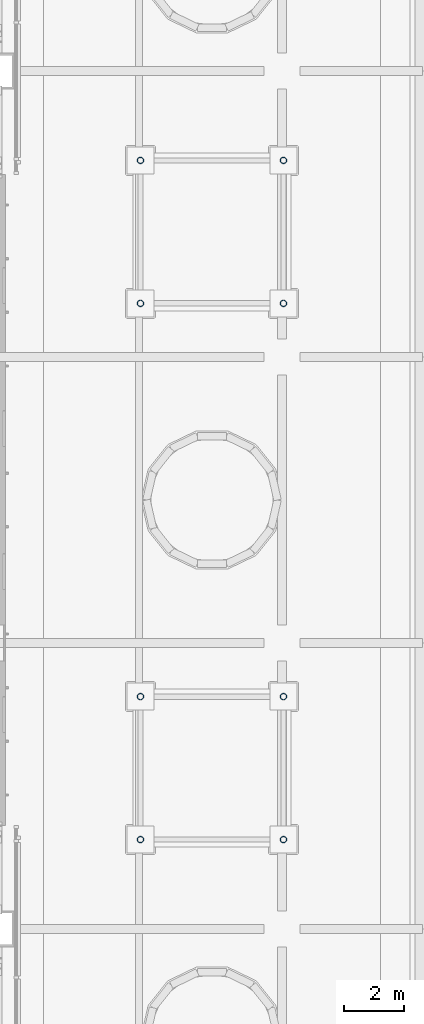
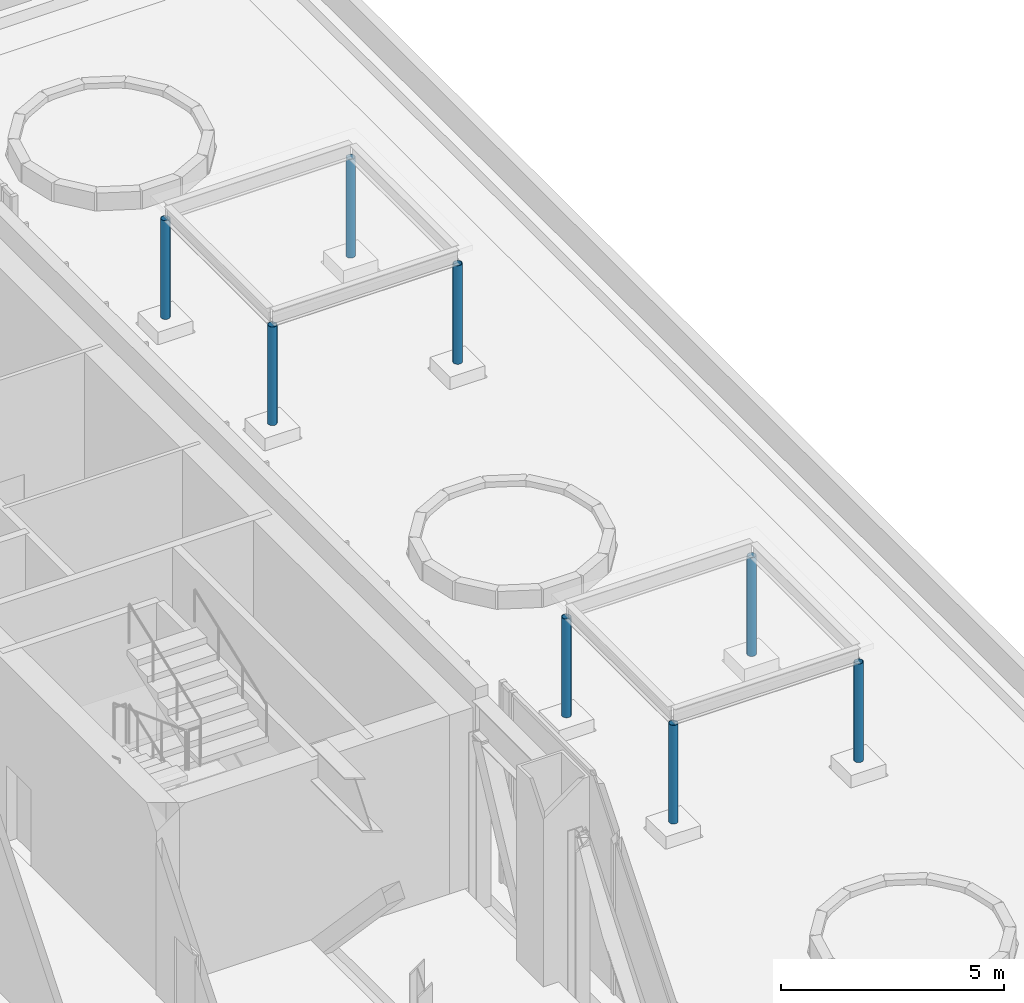
# One storey, part 6 of 39: 8 columns.
"""IFC4 building model written with IfcOpenShell, lengths in metres."""

from ifc_helpers import new_model, si_unit, direction, frame, origin, origin_2d, place, context, subcontext, project, spatial, hollow_circle, extrude, material, material_profile, profile_set, type_object, element, save


model = new_model("IFC4")

# Units and contexts
model_context = context("Model", 3, precision=1e-05, world=origin(), true_north=direction((0.0, 1.0)))
body_context = subcontext(model_context, "Body", "Model", "MODEL_VIEW")
ifc_project = project(units=[si_unit("LENGTHUNIT", "METRE"), si_unit("AREAUNIT", "SQUARE_METRE"), si_unit("VOLUMEUNIT", "CUBIC_METRE"), si_unit("PLANEANGLEUNIT", "RADIAN"), si_unit("MASSUNIT", "GRAM", prefix="KILO")], contexts=[model_context])

# Site, building, storey
site_placement = place(None, origin())
site = spatial("IfcSite", under=ifc_project, at=site_placement, CompositionType="ELEMENT")
building_placement = place(site_placement, origin())
building = spatial("IfcBuilding", under=site, at=building_placement, Name="Cobrizo Arcos Hotel Tower", CompositionType="ELEMENT")
storey_placement = place(building_placement, frame((0.0, 0.0, 33.5)))
storey = spatial("IfcBuildingStorey", under=building, at=storey_placement, Name="L06", CompositionType="ELEMENT", Elevation=33.5)

# Columns
ifc_material = material(Name="Steel ASTM A500 Grade C", Category="steel")
ifc_material_profile = material_profile(ifc_material, hollow_circle(Radius=0.109619140625, WallThickness=0.01171875, at=origin_2d()), Name="HSS8.625X0.500")
ifc_profile_set = profile_set([ifc_material_profile], Name="Steel ASTM A500 Grade C")
column_type = type_object("IfcColumnType", Name="HSS8.625X0.500 pavilion column", PredefinedType="COLUMN", material=ifc_profile_set)
for number, where, z_axis, x_axis, name in (
    (1, (28.85009765625, -11.39990234375, 0.449951171875), (0.0, 0.0, 1.0), (1.0, 0.0, 0.0), "Pavilion 3 column 1"),
    (2, (33.64990234375, -11.39990234375, 0.449951171875), (0.0, 0.0, 1.0), (1.0, 0.0, 0.0), "Pavilion 3 column 2"),
    (3, (33.64990234375, -6.60009765625, 0.449951171875), (0.0, 0.0, 1.0), (1.0, 0.0, 0.0), "Pavilion 3 column 3"),
    (4, (28.85009765625, -6.60009765625, 0.449951171875), (0.0, 0.0, 1.0), (1.0, 0.0, 0.0), "Pavilion 3 column 4"),
    (5, (28.85009765625, 6.60009765625, 0.449951171875), (0.0, 0.0, 1.0), (1.0, 0.0, 0.0), "Pavilion 4 column 1"),
    (6, (33.64990234375, 6.60009765625, 0.449951171875), (0.0, 0.0, 1.0), (1.0, 0.0, 0.0), "Pavilion 4 column 2"),
    (7, (33.64990234375, 11.39990234375, 0.449951171875), (0.0, 0.0, 1.0), (1.0, 0.0, 0.0), "Pavilion 4 column 3"),
    (8, (28.85009765625, 11.39990234375, 0.449951171875), (0.0, 0.0, 1.0), (1.0, 0.0, 0.0), "Pavilion 4 column 4"),
):
    element("IfcColumn", number, at=place(storey_placement, frame(where, z_axis=z_axis, x_axis=x_axis)), inside=storey, type_object=column_type, Name=name, PredefinedType="COLUMN", context=body_context, shape_type="SweptSolid", body=[
        extrude(hollow_circle(Radius=0.109619140625, WallThickness=0.01171875, at=origin_2d()), origin(), (0.0, 0.0, 1.0), 2.699951171875),
    ])

save(model, "model.ifc")
